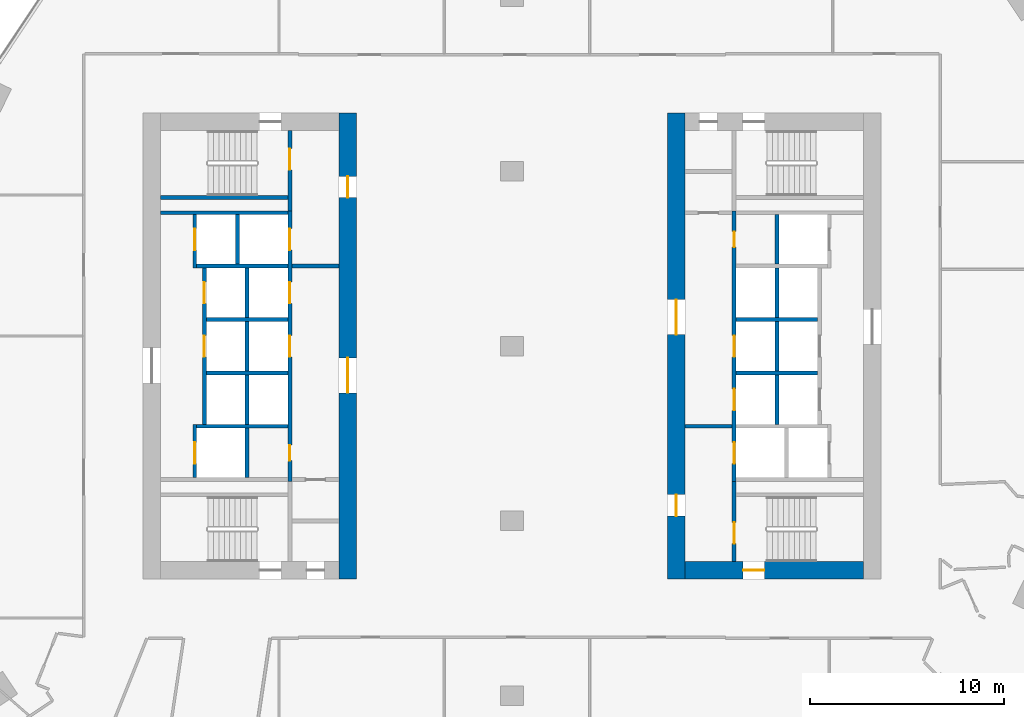
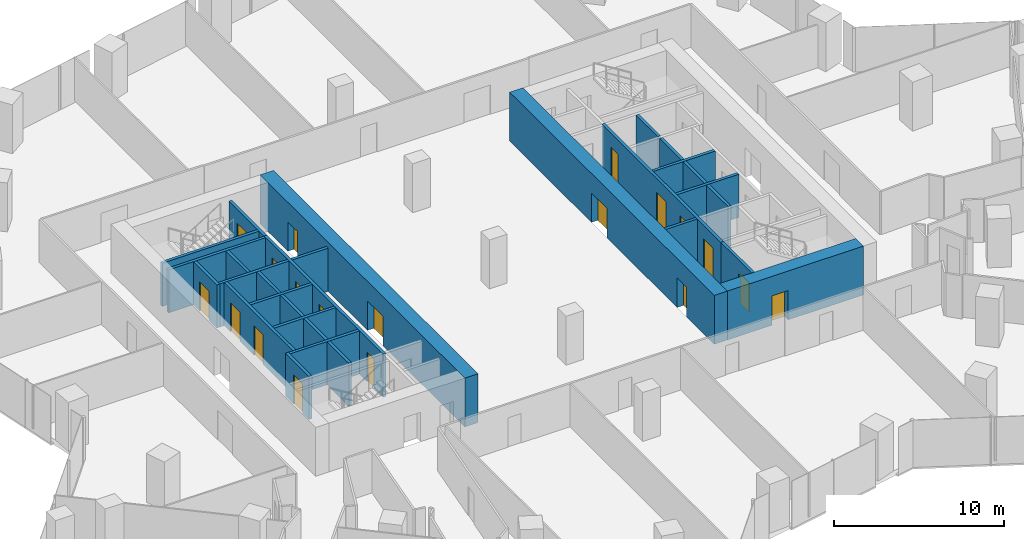
# One storey, part 28 of 38: 29 walls, 19 doors, 19 openings.
"""IFC4 building model written with IfcOpenShell, lengths in metres."""

from ifc_helpers import new_model, si_unit, direction, frame, frame_2d, origin, place, context, subcontext, project, spatial, rectangle, extrude, material, layer, layer_set, type_object, element, fill, save


model = new_model("IFC4")

# Units and contexts
model_context = context("Model", 3, precision=1e-05, world=origin(), true_north=direction((0.0, 1.0)))
body_context = subcontext(model_context, "Body", "Model", "MODEL_VIEW")
ifc_project = project(units=[si_unit("LENGTHUNIT", "METRE"), si_unit("AREAUNIT", "SQUARE_METRE"), si_unit("VOLUMEUNIT", "CUBIC_METRE"), si_unit("PLANEANGLEUNIT", "RADIAN"), si_unit("MASSUNIT", "GRAM", prefix="KILO")], contexts=[model_context])

# Site, building, storey
site_placement = place(None, origin())
site = spatial("IfcSite", under=ifc_project, at=site_placement, CompositionType="ELEMENT")
building_placement = place(site_placement, origin())
building = spatial("IfcBuilding", under=site, at=building_placement, Name="Orlundy Tower", CompositionType="ELEMENT")
storey_placement = place(building_placement, frame((0.0, 0.0, 65.800048828125)))
storey = spatial("IfcBuildingStorey", under=building, at=storey_placement, Name="L15", CompositionType="ELEMENT", Elevation=65.800048828125)

# Wall, openings, doors
ifc_material_1 = material(Name="Concrete C80/95", Category="concrete")
ifc_layer_1 = layer(ifc_material_1, 0.89990234375)
ifc_layer_set_1 = layer_set([ifc_layer_1], Name="CORE WALL 900 C80/95")
wall_type_1 = type_object("IfcWallType", Name="CORE WALL 900 C80/95", PredefinedType="SHEAR", material=ifc_layer_set_1)
wall_1_placement = place(storey_placement, frame((-8.449951171875, -12.0, 0.0), z_axis=(0.0, 0.0, 1.0), x_axis=(0.0, 1.0, 0.0)))
wall_1 = element("IfcWall", 1, at=wall_1_placement, inside=storey, type_object=wall_type_1, Name="Core wall W-E L15", PredefinedType="SHEAR", context=body_context, shape_type="SweptSolid", body=[
    extrude(rectangle(XDim=24.0, YDim=0.89990234375, at=frame_2d((12.0, 0.0))), origin(), (0.0, 0.0, 1.0), 3.5),
])
opening_1_placement = place(wall_1_placement, frame((9.60009765625, 0.0, 0.0)))
opening_1 = element("IfcOpeningElement", 2, at=opening_1_placement, cuts=wall_1, Name="Opening 13009", PredefinedType="OPENING", context=body_context, shape_type="SweptSolid", body=[
    extrude(rectangle(XDim=1.800048828125, YDim=2.10009765625, at=frame_2d((0.89990234375, 1.050048828125))), frame((0.0, 0.4599609375, 0.0), z_axis=(0.0, -1.0, 0.0), x_axis=(1.0, 0.0, 0.0)), (0.0, 0.0, 1.0), 0.919921875),
])
opening_2_placement = place(wall_1_placement, frame((19.64990234375, 0.0, 0.0)))
opening_2 = element("IfcOpeningElement", 3, at=opening_2_placement, cuts=wall_1, Name="Opening 13011", PredefinedType="OPENING", context=body_context, shape_type="SweptSolid", body=[
    extrude(rectangle(XDim=1.10009765625, YDim=2.10009765625, at=frame_2d((0.550048828125, 1.050048828125))), frame((0.0, 0.4599609375, 0.0), z_axis=(0.0, -1.0, 0.0), x_axis=(1.0, 0.0, 0.0)), (0.0, 0.0, 1.0), 0.919921875),
])
ifc_material_2 = material(Name="Steel door set", Category="steel")
door_type_1 = type_object("IfcDoorType", Name="Fire-fighting Lobby Door 1100x2100", OperationType="SINGLE_SWING_LEFT", PredefinedType="DOOR", material=ifc_material_2)
door_1_placement = place(opening_2_placement, origin())
door_1 = element("IfcDoor", 4, at=door_1_placement, inside=storey, type_object=door_type_1, Name="Fire-fighting lobby door 13011", OperationType="SINGLE_SWING_RIGHT", OverallHeight=2.10009765625, OverallWidth=1.10009765625, PredefinedType="DOOR", context=body_context, shape_type="SweptSolid", body=[
    extrude(rectangle(XDim=1.10009765625, YDim=2.10009765625, at=frame_2d((0.550048828125, 1.050048828125))), frame((0.0, 0.02490234375, 0.0), z_axis=(0.0, -1.0, 0.0), x_axis=(1.0, 0.0, 0.0)), (0.0, 0.0, 1.0), 0.050048828125),
])
fill(opening_2, door_1)
ifc_material_3 = material(Name="Timber door set", Category="wood")
door_type_2 = type_object("IfcDoorType", Name="Lobby Door 1800x2100", OperationType="DOUBLE_DOOR_DOUBLE_SWING", PredefinedType="DOOR", material=ifc_material_3)
door_2_placement = place(opening_1_placement, origin())
door_2 = element("IfcDoor", 5, at=door_2_placement, inside=storey, type_object=door_type_2, Name="Lift lobby door 13009", OperationType="SINGLE_SWING_LEFT", OverallHeight=2.10009765625, OverallWidth=1.800048828125, PredefinedType="DOOR", context=body_context, shape_type="SweptSolid", body=[
    extrude(rectangle(XDim=1.800048828125, YDim=2.10009765625, at=frame_2d((0.89990234375, 1.050048828125))), frame((0.0, 0.02490234375, 0.0), z_axis=(0.0, -1.0, 0.0), x_axis=(1.0, 0.0, 0.0)), (0.0, 0.0, 1.0), 0.050048828125),
])
fill(opening_1, door_2)

# Wall, opening, door
wall_2_placement = place(storey_placement, frame((8.89990234375, -11.550048828125, 0.0), z_axis=(0.0, 0.0, 1.0), x_axis=(1.0, 0.0, 0.0)))
wall_2 = element("IfcWall", 6, at=wall_2_placement, inside=storey, type_object=wall_type_1, Name="Core wall E-S L15", PredefinedType="SHEAR", context=body_context, shape_type="SweptSolid", body=[
    extrude(rectangle(XDim=9.2001953125, YDim=0.89990234375, at=frame_2d((4.60009765625, 0.0))), origin(), (0.0, 0.0, 1.0), 3.5),
])
opening_3_placement = place(wall_2_placement, frame((3.0, 0.0, 0.0)))
opening_3 = element("IfcOpeningElement", 7, at=opening_3_placement, cuts=wall_2, Name="Opening 13061", PredefinedType="OPENING", context=body_context, shape_type="SweptSolid", body=[
    extrude(rectangle(XDim=1.10009765625, YDim=2.10009765625, at=frame_2d((0.550048828125, 1.050048828125))), frame((0.0, 0.4599609375, 0.0), z_axis=(0.0, -1.0, 0.0), x_axis=(1.0, 0.0, 0.0)), (0.0, 0.0, 1.0), 0.919921875),
])
ifc_material_4 = material(Name="Steel door set", Category="steel")
door_type_3 = type_object("IfcDoorType", Name="Stair Door 1100x2100", OperationType="SINGLE_SWING_LEFT", PredefinedType="DOOR", material=ifc_material_4)
door_3_placement = place(opening_3_placement, origin())
door_3 = element("IfcDoor", 8, at=door_3_placement, inside=storey, type_object=door_type_3, Name="Stair door 13061", OperationType="SINGLE_SWING_LEFT", OverallHeight=2.10009765625, OverallWidth=1.10009765625, PredefinedType="DOOR", context=body_context, shape_type="SweptSolid", body=[
    extrude(rectangle(XDim=1.10009765625, YDim=2.10009765625, at=frame_2d((0.550048828125, 1.050048828125))), frame((0.0, 0.02490234375, 0.0), z_axis=(0.0, -1.0, 0.0), x_axis=(1.0, 0.0, 0.0)), (0.0, 0.0, 1.0), 0.050048828125),
])
fill(opening_3, door_3)

# Wall, openings, doors
wall_3_placement = place(storey_placement, frame((8.449951171875, -12.0, 0.0), z_axis=(0.0, 0.0, 1.0), x_axis=(0.0, 1.0, 0.0)))
wall_3 = element("IfcWall", 9, at=wall_3_placement, inside=storey, type_object=wall_type_1, Name="Core wall E-W L15", PredefinedType="SHEAR", context=body_context, shape_type="SweptSolid", body=[
    extrude(rectangle(XDim=24.0, YDim=0.89990234375, at=frame_2d((12.0, 0.0))), origin(), (0.0, 0.0, 1.0), 3.5),
])
opening_4_placement = place(wall_3_placement, frame((12.60009765625, 0.0, 0.0)))
opening_4 = element("IfcOpeningElement", 10, at=opening_4_placement, cuts=wall_3, Name="Opening 13058", PredefinedType="OPENING", context=body_context, shape_type="SweptSolid", body=[
    extrude(rectangle(XDim=1.800048828125, YDim=2.10009765625, at=frame_2d((0.89990234375, 1.050048828125))), frame((0.0, 0.4599609375, 0.0), z_axis=(0.0, -1.0, 0.0), x_axis=(1.0, 0.0, 0.0)), (0.0, 0.0, 1.0), 0.919921875),
])
opening_5_placement = place(wall_3_placement, frame((3.25, 0.0, 0.0)))
opening_5 = element("IfcOpeningElement", 11, at=opening_5_placement, cuts=wall_3, Name="Opening 13060", PredefinedType="OPENING", context=body_context, shape_type="SweptSolid", body=[
    extrude(rectangle(XDim=1.10009765625, YDim=2.10009765625, at=frame_2d((0.550048828125, 1.050048828125))), frame((0.0, 0.4599609375, 0.0), z_axis=(0.0, -1.0, 0.0), x_axis=(1.0, 0.0, 0.0)), (0.0, 0.0, 1.0), 0.919921875),
])
door_4_placement = place(opening_5_placement, origin())
door_4 = element("IfcDoor", 12, at=door_4_placement, inside=storey, type_object=door_type_1, Name="Fire-fighting lobby door 13060", OperationType="SINGLE_SWING_LEFT", OverallHeight=2.10009765625, OverallWidth=1.10009765625, PredefinedType="DOOR", context=body_context, shape_type="SweptSolid", body=[
    extrude(rectangle(XDim=1.10009765625, YDim=2.10009765625, at=frame_2d((0.550048828125, 1.050048828125))), frame((0.0, 0.02490234375, 0.0), z_axis=(0.0, -1.0, 0.0), x_axis=(1.0, 0.0, 0.0)), (0.0, 0.0, 1.0), 0.050048828125),
])
fill(opening_5, door_4)
door_5_placement = place(opening_4_placement, origin())
door_5 = element("IfcDoor", 13, at=door_5_placement, inside=storey, type_object=door_type_2, Name="Lift lobby door 13058", OperationType="SINGLE_SWING_RIGHT", OverallHeight=2.10009765625, OverallWidth=1.800048828125, PredefinedType="DOOR", context=body_context, shape_type="SweptSolid", body=[
    extrude(rectangle(XDim=1.800048828125, YDim=2.10009765625, at=frame_2d((0.89990234375, 1.050048828125))), frame((0.0, 0.02490234375, 0.0), z_axis=(0.0, -1.0, 0.0), x_axis=(1.0, 0.0, 0.0)), (0.0, 0.0, 1.0), 0.050048828125),
])
fill(opening_4, door_5)

# Wall, opening, door
ifc_material_5 = material(Name="Concrete C40/50", Category="concrete")
ifc_layer_2 = layer(ifc_material_5, 0.199951171875)
ifc_layer_set_2 = layer_set([ifc_layer_2], Name="Load-bearing Shaft Wall 200")
wall_type_2 = type_object("IfcWallType", Name="Load-bearing Shaft Wall 200", PredefinedType="SOLIDWALL", material=ifc_layer_set_2)
wall_4_placement = place(storey_placement, frame((-11.43994140625, 6.97509765625, 0.0), z_axis=(0.0, 0.0, 1.0), x_axis=(0.0, 1.0, 0.0)))
wall_4 = element("IfcWall", 14, at=wall_4_placement, inside=storey, type_object=wall_type_2, Name="Shaft wall W13-stair-end-n", PredefinedType="SOLIDWALL", context=body_context, shape_type="SweptSolid", body=[
    extrude(rectangle(XDim=4.125, YDim=0.199951171875, at=frame_2d((2.0625, 0.0))), origin(), (0.0, 0.0, 1.0), 3.08984375),
])
opening_6_placement = place(wall_4_placement, frame((2.10009765625, 0.0, 0.0)))
opening_6 = element("IfcOpeningElement", 15, at=opening_6_placement, cuts=wall_4, Name="Opening 13014", PredefinedType="OPENING", context=body_context, shape_type="SweptSolid", body=[
    extrude(rectangle(XDim=1.10009765625, YDim=2.10009765625, at=frame_2d((0.550048828125, 1.050048828125))), frame((0.0, 0.110107421875, 0.0), z_axis=(0.0, -1.0, 0.0), x_axis=(1.0, 0.0, 0.0)), (0.0, 0.0, 1.0), 0.22021484375),
])
door_6_placement = place(opening_6_placement, origin())
door_6 = element("IfcDoor", 16, at=door_6_placement, inside=storey, type_object=door_type_1, Name="Fire-fighting lobby to stair door 13014", OperationType="SINGLE_SWING_RIGHT", OverallHeight=2.10009765625, OverallWidth=1.10009765625, PredefinedType="DOOR", context=body_context, shape_type="SweptSolid", body=[
    extrude(rectangle(XDim=1.10009765625, YDim=2.10009765625, at=frame_2d((0.550048828125, 1.050048828125))), frame((0.0, 0.02490234375, 0.0), z_axis=(0.0, -1.0, 0.0), x_axis=(1.0, 0.0, 0.0)), (0.0, 0.0, 1.0), 0.050048828125),
])
fill(opening_6, door_6)

# Wall
wall_5_placement = place(storey_placement, frame((-11.5400390625, 7.64990234375, 0.0), z_axis=(0.0, 0.0, 1.0), x_axis=(-1.0, 0.0, 0.0)))
element("IfcWall", 17, at=wall_5_placement, inside=storey, type_object=wall_type_2, Name="Shaft wall W13-stair-side-n", PredefinedType="SOLIDWALL", context=body_context, shape_type="SweptSolid", body=[
    extrude(rectangle(XDim=6.56005859375, YDim=0.199951171875, at=frame_2d((3.280029296875, 0.0))), origin(), (0.0, 0.0, 1.0), 3.08984375),
])

# Wall, opening, door
wall_6_placement = place(storey_placement, frame((11.43994140625, -6.97509765625, 0.0), z_axis=(0.0, 0.0, 1.0), x_axis=(0.0, -1.0, 0.0)))
wall_6 = element("IfcWall", 18, at=wall_6_placement, inside=storey, type_object=wall_type_2, Name="Shaft wall E13-stair-end-n", PredefinedType="SOLIDWALL", context=body_context, shape_type="SweptSolid", body=[
    extrude(rectangle(XDim=4.125, YDim=0.199951171875, at=frame_2d((2.0625, 0.0))), origin(), (0.0, 0.0, 1.0), 3.08984375),
])
opening_7_placement = place(wall_6_placement, frame((2.10009765625, 0.0, 0.0)))
opening_7 = element("IfcOpeningElement", 19, at=opening_7_placement, cuts=wall_6, Name="Opening 13063", PredefinedType="OPENING", context=body_context, shape_type="SweptSolid", body=[
    extrude(rectangle(XDim=1.10009765625, YDim=2.10009765625, at=frame_2d((0.550048828125, 1.050048828125))), frame((0.0, 0.110107421875, 0.0), z_axis=(0.0, -1.0, 0.0), x_axis=(1.0, 0.0, 0.0)), (0.0, 0.0, 1.0), 0.22021484375),
])
door_7_placement = place(opening_7_placement, origin())
door_7 = element("IfcDoor", 20, at=door_7_placement, inside=storey, type_object=door_type_1, Name="Fire-fighting lobby to stair door 13063", OperationType="SINGLE_SWING_RIGHT", OverallHeight=2.10009765625, OverallWidth=1.10009765625, PredefinedType="DOOR", context=body_context, shape_type="SweptSolid", body=[
    extrude(rectangle(XDim=1.10009765625, YDim=2.10009765625, at=frame_2d((0.550048828125, 1.050048828125))), frame((0.0, 0.02490234375, 0.0), z_axis=(0.0, -1.0, 0.0), x_axis=(1.0, 0.0, 0.0)), (0.0, 0.0, 1.0), 0.050048828125),
])
fill(opening_7, door_7)

# Walls
ifc_material_6 = material(Name="Gypsum board partition on steel studs", Category="steel")
ifc_layer_3 = layer(ifc_material_6, 0.199951171875)
ifc_layer_set_3 = layer_set([ifc_layer_3], Name="Partition 200")
wall_type_3 = type_object("IfcWallType", Name="Partition 200", PredefinedType="PARTITIONING", material=ifc_layer_set_3)
for number, where, z_axis, x_axis, name in (
    (21, (-8.89990234375, 4.125, 0.0), (0.0, 0.0, 1.0), (-1.0, 0.0, 0.0), "Partition wall W13-lobby-n"),
    (22, (8.89990234375, -4.125, 0.0), (0.0, 0.0, 1.0), (1.0, 0.0, 0.0), "Partition wall E13-lobby-n"),
):
    element("IfcWall", number, at=place(storey_placement, frame(where, z_axis=z_axis, x_axis=x_axis)), inside=storey, type_object=wall_type_3, Name=name, PredefinedType="PARTITIONING", context=body_context, shape_type="SweptSolid", body=[
        extrude(rectangle(XDim=2.440185546875, YDim=0.199951171875, at=frame_2d((1.22021484375, 0.0))), origin(), (0.0, 0.0, 1.0), 3.08984375),
    ])
ifc_material_7 = material(Name="Fire-rated blockwork shaft wall", Category="masonry")
ifc_layer_4 = layer(ifc_material_7, 0.199951171875)
ifc_layer_set_4 = layer_set([ifc_layer_4], Name="Shaft Wall 200")
wall_type_4 = type_object("IfcWallType", Name="Shaft Wall 200", PredefinedType="SOLIDWALL", material=ifc_layer_set_4)
wall_7_placement = place(storey_placement, frame((-11.5400390625, 6.875, 0.0), z_axis=(0.0, 0.0, 1.0), x_axis=(-1.0, 0.0, 0.0)))
element("IfcWall", 23, at=wall_7_placement, inside=storey, type_object=wall_type_4, Name="Shaft wall W13-zone-n", PredefinedType="SOLIDWALL", context=body_context, shape_type="SweptSolid", body=[
    extrude(rectangle(XDim=6.56005859375, YDim=0.199951171875, at=frame_2d((3.280029296875, 0.0))), origin(), (0.0, 0.0, 1.0), 3.08984375),
])
wall_8_placement = place(storey_placement, frame((-11.5400390625, -4.125, 0.0), z_axis=(0.0, 0.0, 1.0), x_axis=(-1.0, 0.0, 0.0)))
element("IfcWall", 24, at=wall_8_placement, inside=storey, type_object=wall_type_4, Name="Shaft wall W13-cross-4.125", PredefinedType="SOLIDWALL", context=body_context, shape_type="SweptSolid", body=[
    extrude(rectangle(XDim=4.699951171875, YDim=0.199951171875, at=frame_2d((2.35009765625, 0.0))), origin(), (0.0, 0.0, 1.0), 3.08984375),
])
for number, where, z_axis, x_axis, name in (
    (25, (-11.5400390625, -1.375, 0.0), (0.0, 0.0, 1.0), (-1.0, 0.0, 0.0), "Shaft wall W13-cross-1.375"),
    (26, (-11.5400390625, 1.375, 0.0), (0.0, 0.0, 1.0), (-1.0, 0.0, 0.0), "Shaft wall W13-cross+1.375"),
):
    element("IfcWall", number, at=place(storey_placement, frame(where, z_axis=z_axis, x_axis=x_axis)), inside=storey, type_object=wall_type_4, Name=name, PredefinedType="SOLIDWALL", context=body_context, shape_type="SweptSolid", body=[
        extrude(rectangle(XDim=4.199951171875, YDim=0.199951171875, at=frame_2d((2.10009765625, 0.0))), origin(), (0.0, 0.0, 1.0), 3.08984375),
    ])
wall_9_placement = place(storey_placement, frame((-11.5400390625, 4.125, 0.0), z_axis=(0.0, 0.0, 1.0), x_axis=(-1.0, 0.0, 0.0)))
element("IfcWall", 27, at=wall_9_placement, inside=storey, type_object=wall_type_4, Name="Shaft wall W13-cross+4.125", PredefinedType="SOLIDWALL", context=body_context, shape_type="SweptSolid", body=[
    extrude(rectangle(XDim=4.699951171875, YDim=0.199951171875, at=frame_2d((2.35009765625, 0.0))), origin(), (0.0, 0.0, 1.0), 3.08984375),
])

# Wall, openings, doors
wall_10_placement = place(storey_placement, frame((-11.43994140625, -6.97509765625, 0.0), z_axis=(0.0, 0.0, 1.0), x_axis=(0.0, 1.0, 0.0)))
wall_10 = element("IfcWall", 28, at=wall_10_placement, inside=storey, type_object=wall_type_4, Name="Shaft wall W13-front-h", PredefinedType="SOLIDWALL", context=body_context, shape_type="SweptSolid", body=[
    extrude(rectangle(XDim=13.9501953125, YDim=0.199951171875, at=frame_2d((6.97509765625, 0.0))), origin(), (0.0, 0.0, 1.0), 3.08984375),
])
opening_8_placement = place(wall_10_placement, frame((6.425048828125, 0.0, 0.0)))
opening_8 = element("IfcOpeningElement", 29, at=opening_8_placement, cuts=wall_10, Name="Opening 13002", PredefinedType="OPENING", context=body_context, shape_type="SweptSolid", body=[
    extrude(rectangle(XDim=1.10009765625, YDim=2.10009765625, at=frame_2d((0.550048828125, 1.050048828125))), frame((0.0, 0.110107421875, 0.0), z_axis=(0.0, -1.0, 0.0), x_axis=(1.0, 0.0, 0.0)), (0.0, 0.0, 1.0), 0.22021484375),
])
opening_9_placement = place(wall_10_placement, frame((9.175048828125, 0.0, 0.0)))
opening_9 = element("IfcOpeningElement", 30, at=opening_9_placement, cuts=wall_10, Name="Opening 13004", PredefinedType="OPENING", context=body_context, shape_type="SweptSolid", body=[
    extrude(rectangle(XDim=1.10009765625, YDim=2.10009765625, at=frame_2d((0.550048828125, 1.050048828125))), frame((0.0, 0.110107421875, 0.0), z_axis=(0.0, -1.0, 0.0), x_axis=(1.0, 0.0, 0.0)), (0.0, 0.0, 1.0), 0.22021484375),
])
opening_10_placement = place(wall_10_placement, frame((11.925048828125, 0.0, 0.0)))
opening_10 = element("IfcOpeningElement", 31, at=opening_10_placement, cuts=wall_10, Name="Opening 13006", PredefinedType="OPENING", context=body_context, shape_type="SweptSolid", body=[
    extrude(rectangle(XDim=1.10009765625, YDim=2.10009765625, at=frame_2d((0.550048828125, 1.050048828125))), frame((0.0, 0.110107421875, 0.0), z_axis=(0.0, -1.0, 0.0), x_axis=(1.0, 0.0, 0.0)), (0.0, 0.0, 1.0), 0.22021484375),
])
opening_11_placement = place(wall_10_placement, frame((1.074951171875, 0.0, 0.0)))
opening_11 = element("IfcOpeningElement", 32, at=opening_11_placement, cuts=wall_10, Name="Opening 13008", PredefinedType="OPENING", context=body_context, shape_type="SweptSolid", body=[
    extrude(rectangle(XDim=0.800048828125, YDim=2.10009765625, at=frame_2d((0.39990234375, 1.050048828125))), frame((0.0, 0.110107421875, 0.0), z_axis=(0.0, -1.0, 0.0), x_axis=(1.0, 0.0, 0.0)), (0.0, 0.0, 1.0), 0.22021484375),
])
ifc_material_8 = material(Name="Steel door set", Category="steel")
door_type_4 = type_object("IfcDoorType", Name="Landing Door 1100x2100", OperationType="DOUBLE_DOOR_SLIDING", PredefinedType="DOOR", material=ifc_material_8)
door_8_placement = place(opening_8_placement, origin())
door_8 = element("IfcDoor", 33, at=door_8_placement, inside=storey, type_object=door_type_4, Name="Lift landing door LP-05 13002", OperationType="DOUBLE_DOOR_SLIDING", OverallHeight=2.10009765625, OverallWidth=1.10009765625, PredefinedType="DOOR", context=body_context, shape_type="SweptSolid", body=[
    extrude(rectangle(XDim=1.10009765625, YDim=2.10009765625, at=frame_2d((0.550048828125, 1.050048828125))), frame((0.0, 0.02490234375, 0.0), z_axis=(0.0, -1.0, 0.0), x_axis=(1.0, 0.0, 0.0)), (0.0, 0.0, 1.0), 0.050048828125),
])
fill(opening_8, door_8)
door_9_placement = place(opening_9_placement, origin())
door_9 = element("IfcDoor", 34, at=door_9_placement, inside=storey, type_object=door_type_4, Name="Lift landing door LP-02 13004", OperationType="DOUBLE_DOOR_SLIDING", OverallHeight=2.10009765625, OverallWidth=1.10009765625, PredefinedType="DOOR", context=body_context, shape_type="SweptSolid", body=[
    extrude(rectangle(XDim=1.10009765625, YDim=2.10009765625, at=frame_2d((0.550048828125, 1.050048828125))), frame((0.0, 0.02490234375, 0.0), z_axis=(0.0, -1.0, 0.0), x_axis=(1.0, 0.0, 0.0)), (0.0, 0.0, 1.0), 0.050048828125),
])
fill(opening_9, door_9)
door_10_placement = place(opening_10_placement, origin())
door_10 = element("IfcDoor", 35, at=door_10_placement, inside=storey, type_object=door_type_4, Name="Lift landing door FL1 13006", OperationType="DOUBLE_DOOR_SLIDING", OverallHeight=2.10009765625, OverallWidth=1.10009765625, PredefinedType="DOOR", context=body_context, shape_type="SweptSolid", body=[
    extrude(rectangle(XDim=1.10009765625, YDim=2.10009765625, at=frame_2d((0.550048828125, 1.050048828125))), frame((0.0, 0.02490234375, 0.0), z_axis=(0.0, -1.0, 0.0), x_axis=(1.0, 0.0, 0.0)), (0.0, 0.0, 1.0), 0.050048828125),
])
fill(opening_10, door_10)
ifc_material_9 = material(Name="Timber door set", Category="wood")
door_type_5 = type_object("IfcDoorType", Name="Riser Door 800x2100", OperationType="SINGLE_SWING_LEFT", PredefinedType="DOOR", material=ifc_material_9)
door_11_placement = place(opening_11_placement, origin())
door_11 = element("IfcDoor", 36, at=door_11_placement, inside=storey, type_object=door_type_5, Name="Pantry Store door 13008", OperationType="SINGLE_SWING_LEFT", OverallHeight=2.10009765625, OverallWidth=0.800048828125, PredefinedType="DOOR", context=body_context, shape_type="SweptSolid", body=[
    extrude(rectangle(XDim=0.800048828125, YDim=2.10009765625, at=frame_2d((0.39990234375, 1.050048828125))), frame((0.0, 0.02490234375, 0.0), z_axis=(0.0, -1.0, 0.0), x_axis=(1.0, 0.0, 0.0)), (0.0, 0.0, 1.0), 0.050048828125),
])
fill(opening_11, door_11)

# Walls
for number, where, z_axis, x_axis, name in (
    (37, (-13.639892578125, -6.77490234375, 0.0), (0.0, 0.0, 1.0), (0.0, 1.0, 0.0), "Shaft wall W13-mid-a"),
    (38, (-13.639892578125, -4.02490234375, 0.0), (0.0, 0.0, 1.0), (0.0, 1.0, 0.0), "Shaft wall W13-mid-a.1"),
    (39, (-13.639892578125, -1.27490234375, 0.0), (0.0, 0.0, 1.0), (0.0, 1.0, 0.0), "Shaft wall W13-mid-a.2"),
    (40, (-13.639892578125, 1.47509765625, 0.0), (0.0, 0.0, 1.0), (0.0, 1.0, 0.0), "Shaft wall W13-mid-a.3"),
    (41, (-14.139892578125, 4.22509765625, 0.0), (0.0, 0.0, 1.0), (0.0, 1.0, 0.0), "Shaft wall W13-mid-b"),
):
    element("IfcWall", number, at=place(storey_placement, frame(where, z_axis=z_axis, x_axis=x_axis)), inside=storey, type_object=wall_type_4, Name=name, PredefinedType="SOLIDWALL", context=body_context, shape_type="SweptSolid", body=[
        extrude(rectangle(XDim=2.5498046875, YDim=0.199951171875, at=frame_2d((1.27490234375, 0.0))), origin(), (0.0, 0.0, 1.0), 3.08984375),
    ])

# Wall, opening, door
wall_11_placement = place(storey_placement, frame((-16.340087890625, -6.77490234375, 0.0), z_axis=(0.0, 0.0, 1.0), x_axis=(0.0, 1.0, 0.0)))
wall_11 = element("IfcWall", 42, at=wall_11_placement, inside=storey, type_object=wall_type_4, Name="Shaft wall W13-front-o-a", PredefinedType="SOLIDWALL", context=body_context, shape_type="SweptSolid", body=[
    extrude(rectangle(XDim=2.75, YDim=0.199951171875, at=frame_2d((1.375, 0.0))), origin(), (0.0, 0.0, 1.0), 3.08984375),
])
opening_12_placement = place(wall_11_placement, frame((0.72509765625, 0.0, 0.0)))
opening_12 = element("IfcOpeningElement", 43, at=opening_12_placement, cuts=wall_11, Name="Opening 13001", PredefinedType="OPENING", context=body_context, shape_type="SweptSolid", body=[
    extrude(rectangle(XDim=1.10009765625, YDim=2.10009765625, at=frame_2d((0.550048828125, 1.050048828125))), frame((0.0, 0.110107421875, 0.0), z_axis=(0.0, -1.0, 0.0), x_axis=(1.0, 0.0, 0.0)), (0.0, 0.0, 1.0), 0.22021484375),
])
door_12_placement = place(opening_12_placement, origin())
door_12 = element("IfcDoor", 44, at=door_12_placement, inside=storey, type_object=door_type_4, Name="Lift landing door LV-01 13001", OperationType="DOUBLE_DOOR_SLIDING", OverallHeight=2.10009765625, OverallWidth=1.10009765625, PredefinedType="DOOR", context=body_context, shape_type="SweptSolid", body=[
    extrude(rectangle(XDim=1.10009765625, YDim=2.10009765625, at=frame_2d((0.550048828125, 1.050048828125))), frame((0.0, 0.02490234375, 0.0), z_axis=(0.0, -1.0, 0.0), x_axis=(1.0, 0.0, 0.0)), (0.0, 0.0, 1.0), 0.050048828125),
])
fill(opening_12, door_12)

# Wall, openings, doors
wall_12_placement = place(storey_placement, frame((-15.840087890625, -4.02490234375, 0.0), z_axis=(0.0, 0.0, 1.0), x_axis=(0.0, 1.0, 0.0)))
wall_12 = element("IfcWall", 45, at=wall_12_placement, inside=storey, type_object=wall_type_4, Name="Shaft wall W13-front-o-b", PredefinedType="SOLIDWALL", context=body_context, shape_type="SweptSolid", body=[
    extrude(rectangle(XDim=8.0498046875, YDim=0.199951171875, at=frame_2d((4.02490234375, 0.0))), origin(), (0.0, 0.0, 1.0), 3.08984375),
])
opening_13_placement = place(wall_12_placement, frame((3.47509765625, 0.0, 0.0)))
opening_13 = element("IfcOpeningElement", 46, at=opening_13_placement, cuts=wall_12, Name="Opening 13003", PredefinedType="OPENING", context=body_context, shape_type="SweptSolid", body=[
    extrude(rectangle(XDim=1.10009765625, YDim=2.10009765625, at=frame_2d((0.550048828125, 1.050048828125))), frame((0.0, 0.110107421875, 0.0), z_axis=(0.0, -1.0, 0.0), x_axis=(1.0, 0.0, 0.0)), (0.0, 0.0, 1.0), 0.22021484375),
])
opening_14_placement = place(wall_12_placement, frame((6.22509765625, 0.0, 0.0)))
opening_14 = element("IfcOpeningElement", 47, at=opening_14_placement, cuts=wall_12, Name="Opening 13005", PredefinedType="OPENING", context=body_context, shape_type="SweptSolid", body=[
    extrude(rectangle(XDim=1.10009765625, YDim=2.10009765625, at=frame_2d((0.550048828125, 1.050048828125))), frame((0.0, 0.110107421875, 0.0), z_axis=(0.0, -1.0, 0.0), x_axis=(1.0, 0.0, 0.0)), (0.0, 0.0, 1.0), 0.22021484375),
])
door_13_placement = place(opening_13_placement, origin())
door_13 = element("IfcDoor", 48, at=door_13_placement, inside=storey, type_object=door_type_4, Name="Lift landing door LP-01 13003", OperationType="DOUBLE_DOOR_SLIDING", OverallHeight=2.10009765625, OverallWidth=1.10009765625, PredefinedType="DOOR", context=body_context, shape_type="SweptSolid", body=[
    extrude(rectangle(XDim=1.10009765625, YDim=2.10009765625, at=frame_2d((0.550048828125, 1.050048828125))), frame((0.0, 0.02490234375, 0.0), z_axis=(0.0, -1.0, 0.0), x_axis=(1.0, 0.0, 0.0)), (0.0, 0.0, 1.0), 0.050048828125),
])
fill(opening_13, door_13)
door_14_placement = place(opening_14_placement, origin())
door_14 = element("IfcDoor", 49, at=door_14_placement, inside=storey, type_object=door_type_4, Name="Lift landing door LP-03 13005", OperationType="DOUBLE_DOOR_SLIDING", OverallHeight=2.10009765625, OverallWidth=1.10009765625, PredefinedType="DOOR", context=body_context, shape_type="SweptSolid", body=[
    extrude(rectangle(XDim=1.10009765625, YDim=2.10009765625, at=frame_2d((0.550048828125, 1.050048828125))), frame((0.0, 0.02490234375, 0.0), z_axis=(0.0, -1.0, 0.0), x_axis=(1.0, 0.0, 0.0)), (0.0, 0.0, 1.0), 0.050048828125),
])
fill(opening_14, door_14)

# Wall, opening, door
wall_13_placement = place(storey_placement, frame((-16.340087890625, 4.02490234375, 0.0), z_axis=(0.0, 0.0, 1.0), x_axis=(0.0, 1.0, 0.0)))
wall_13 = element("IfcWall", 50, at=wall_13_placement, inside=storey, type_object=wall_type_4, Name="Shaft wall W13-front-o-c", PredefinedType="SOLIDWALL", context=body_context, shape_type="SweptSolid", body=[
    extrude(rectangle(XDim=2.75, YDim=0.199951171875, at=frame_2d((1.375, 0.0))), origin(), (0.0, 0.0, 1.0), 3.08984375),
])
opening_15_placement = place(wall_13_placement, frame((0.925048828125, 0.0, 0.0)))
opening_15 = element("IfcOpeningElement", 51, at=opening_15_placement, cuts=wall_13, Name="Opening 13007", PredefinedType="OPENING", context=body_context, shape_type="SweptSolid", body=[
    extrude(rectangle(XDim=1.10009765625, YDim=2.10009765625, at=frame_2d((0.550048828125, 1.050048828125))), frame((0.0, 0.110107421875, 0.0), z_axis=(0.0, -1.0, 0.0), x_axis=(1.0, 0.0, 0.0)), (0.0, 0.0, 1.0), 0.22021484375),
])
door_15_placement = place(opening_15_placement, origin())
door_15 = element("IfcDoor", 52, at=door_15_placement, inside=storey, type_object=door_type_4, Name="Lift landing door LP-04 13007", OperationType="DOUBLE_DOOR_SLIDING", OverallHeight=2.10009765625, OverallWidth=1.10009765625, PredefinedType="DOOR", context=body_context, shape_type="SweptSolid", body=[
    extrude(rectangle(XDim=1.10009765625, YDim=2.10009765625, at=frame_2d((0.550048828125, 1.050048828125))), frame((0.0, 0.02490234375, 0.0), z_axis=(0.0, -1.0, 0.0), x_axis=(1.0, 0.0, 0.0)), (0.0, 0.0, 1.0), 0.050048828125),
])
fill(opening_15, door_15)

# Walls
for number, where, z_axis, x_axis, name in (
    (53, (11.5400390625, 1.375, 0.0), (0.0, 0.0, 1.0), (1.0, 0.0, 0.0), "Shaft wall E13-cross-1.375"),
    (54, (11.5400390625, -1.375, 0.0), (0.0, 0.0, 1.0), (1.0, 0.0, 0.0), "Shaft wall E13-cross+1.375"),
):
    element("IfcWall", number, at=place(storey_placement, frame(where, z_axis=z_axis, x_axis=x_axis)), inside=storey, type_object=wall_type_4, Name=name, PredefinedType="SOLIDWALL", context=body_context, shape_type="SweptSolid", body=[
        extrude(rectangle(XDim=4.199951171875, YDim=0.199951171875, at=frame_2d((2.10009765625, 0.0))), origin(), (0.0, 0.0, 1.0), 3.08984375),
    ])

# Wall, openings, doors
wall_14_placement = place(storey_placement, frame((11.43994140625, 6.97509765625, 0.0), z_axis=(0.0, 0.0, 1.0), x_axis=(0.0, -1.0, 0.0)))
wall_14 = element("IfcWall", 55, at=wall_14_placement, inside=storey, type_object=wall_type_4, Name="Shaft wall E13-front-h", PredefinedType="SOLIDWALL", context=body_context, shape_type="SweptSolid", body=[
    extrude(rectangle(XDim=13.9501953125, YDim=0.199951171875, at=frame_2d((6.97509765625, 0.0))), origin(), (0.0, 0.0, 1.0), 3.08984375),
])
opening_16_placement = place(wall_14_placement, frame((6.425048828125, 0.0, 0.0)))
opening_16 = element("IfcOpeningElement", 56, at=opening_16_placement, cuts=wall_14, Name="Opening 13051", PredefinedType="OPENING", context=body_context, shape_type="SweptSolid", body=[
    extrude(rectangle(XDim=1.10009765625, YDim=2.10009765625, at=frame_2d((0.550048828125, 1.050048828125))), frame((0.0, 0.110107421875, 0.0), z_axis=(0.0, -1.0, 0.0), x_axis=(1.0, 0.0, 0.0)), (0.0, 0.0, 1.0), 0.22021484375),
])
opening_17_placement = place(wall_14_placement, frame((9.175048828125, 0.0, 0.0)))
opening_17 = element("IfcOpeningElement", 57, at=opening_17_placement, cuts=wall_14, Name="Opening 13053", PredefinedType="OPENING", context=body_context, shape_type="SweptSolid", body=[
    extrude(rectangle(XDim=1.10009765625, YDim=2.10009765625, at=frame_2d((0.550048828125, 1.050048828125))), frame((0.0, 0.110107421875, 0.0), z_axis=(0.0, -1.0, 0.0), x_axis=(1.0, 0.0, 0.0)), (0.0, 0.0, 1.0), 0.22021484375),
])
opening_18_placement = place(wall_14_placement, frame((11.925048828125, 0.0, 0.0)))
opening_18 = element("IfcOpeningElement", 58, at=opening_18_placement, cuts=wall_14, Name="Opening 13055", PredefinedType="OPENING", context=body_context, shape_type="SweptSolid", body=[
    extrude(rectangle(XDim=1.10009765625, YDim=2.10009765625, at=frame_2d((0.550048828125, 1.050048828125))), frame((0.0, 0.110107421875, 0.0), z_axis=(0.0, -1.0, 0.0), x_axis=(1.0, 0.0, 0.0)), (0.0, 0.0, 1.0), 0.22021484375),
])
opening_19_placement = place(wall_14_placement, frame((1.074951171875, 0.0, 0.0)))
opening_19 = element("IfcOpeningElement", 59, at=opening_19_placement, cuts=wall_14, Name="Opening 13057", PredefinedType="OPENING", context=body_context, shape_type="SweptSolid", body=[
    extrude(rectangle(XDim=0.800048828125, YDim=2.10009765625, at=frame_2d((0.39990234375, 1.050048828125))), frame((0.0, 0.110107421875, 0.0), z_axis=(0.0, -1.0, 0.0), x_axis=(1.0, 0.0, 0.0)), (0.0, 0.0, 1.0), 0.22021484375),
])
door_16_placement = place(opening_16_placement, origin())
door_16 = element("IfcDoor", 60, at=door_16_placement, inside=storey, type_object=door_type_4, Name="Lift landing door LP-10 13051", OperationType="DOUBLE_DOOR_SLIDING", OverallHeight=2.10009765625, OverallWidth=1.10009765625, PredefinedType="DOOR", context=body_context, shape_type="SweptSolid", body=[
    extrude(rectangle(XDim=1.10009765625, YDim=2.10009765625, at=frame_2d((0.550048828125, 1.050048828125))), frame((0.0, 0.02490234375, 0.0), z_axis=(0.0, -1.0, 0.0), x_axis=(1.0, 0.0, 0.0)), (0.0, 0.0, 1.0), 0.050048828125),
])
fill(opening_16, door_16)
door_17_placement = place(opening_17_placement, origin())
door_17 = element("IfcDoor", 61, at=door_17_placement, inside=storey, type_object=door_type_4, Name="Lift landing door LP-07 13053", OperationType="DOUBLE_DOOR_SLIDING", OverallHeight=2.10009765625, OverallWidth=1.10009765625, PredefinedType="DOOR", context=body_context, shape_type="SweptSolid", body=[
    extrude(rectangle(XDim=1.10009765625, YDim=2.10009765625, at=frame_2d((0.550048828125, 1.050048828125))), frame((0.0, 0.02490234375, 0.0), z_axis=(0.0, -1.0, 0.0), x_axis=(1.0, 0.0, 0.0)), (0.0, 0.0, 1.0), 0.050048828125),
])
fill(opening_17, door_17)
door_18_placement = place(opening_18_placement, origin())
door_18 = element("IfcDoor", 62, at=door_18_placement, inside=storey, type_object=door_type_4, Name="Lift landing door FL2 13055", OperationType="DOUBLE_DOOR_SLIDING", OverallHeight=2.10009765625, OverallWidth=1.10009765625, PredefinedType="DOOR", context=body_context, shape_type="SweptSolid", body=[
    extrude(rectangle(XDim=1.10009765625, YDim=2.10009765625, at=frame_2d((0.550048828125, 1.050048828125))), frame((0.0, 0.02490234375, 0.0), z_axis=(0.0, -1.0, 0.0), x_axis=(1.0, 0.0, 0.0)), (0.0, 0.0, 1.0), 0.050048828125),
])
fill(opening_18, door_18)
door_19_placement = place(opening_19_placement, origin())
door_19 = element("IfcDoor", 63, at=door_19_placement, inside=storey, type_object=door_type_5, Name="Pantry Store door 13057", OperationType="SINGLE_SWING_LEFT", OverallHeight=2.10009765625, OverallWidth=0.800048828125, PredefinedType="DOOR", context=body_context, shape_type="SweptSolid", body=[
    extrude(rectangle(XDim=0.800048828125, YDim=2.10009765625, at=frame_2d((0.39990234375, 1.050048828125))), frame((0.0, 0.02490234375, 0.0), z_axis=(0.0, -1.0, 0.0), x_axis=(1.0, 0.0, 0.0)), (0.0, 0.0, 1.0), 0.050048828125),
])
fill(opening_19, door_19)

# Walls
for number, where, z_axis, x_axis, name in (
    (64, (13.639892578125, 6.77490234375, 0.0), (0.0, 0.0, 1.0), (0.0, -1.0, 0.0), "Shaft wall E13-mid-a"),
    (65, (13.639892578125, 4.02490234375, 0.0), (0.0, 0.0, 1.0), (0.0, -1.0, 0.0), "Shaft wall E13-mid-a.1"),
    (66, (13.639892578125, 1.27490234375, 0.0), (0.0, 0.0, 1.0), (0.0, -1.0, 0.0), "Shaft wall E13-mid-a.2"),
    (67, (13.639892578125, -1.47509765625, 0.0), (0.0, 0.0, 1.0), (0.0, -1.0, 0.0), "Shaft wall E13-mid-a.3"),
):
    element("IfcWall", number, at=place(storey_placement, frame(where, z_axis=z_axis, x_axis=x_axis)), inside=storey, type_object=wall_type_4, Name=name, PredefinedType="SOLIDWALL", context=body_context, shape_type="SweptSolid", body=[
        extrude(rectangle(XDim=2.5498046875, YDim=0.199951171875, at=frame_2d((1.27490234375, 0.0))), origin(), (0.0, 0.0, 1.0), 3.08984375),
    ])

save(model, "model.ifc")
